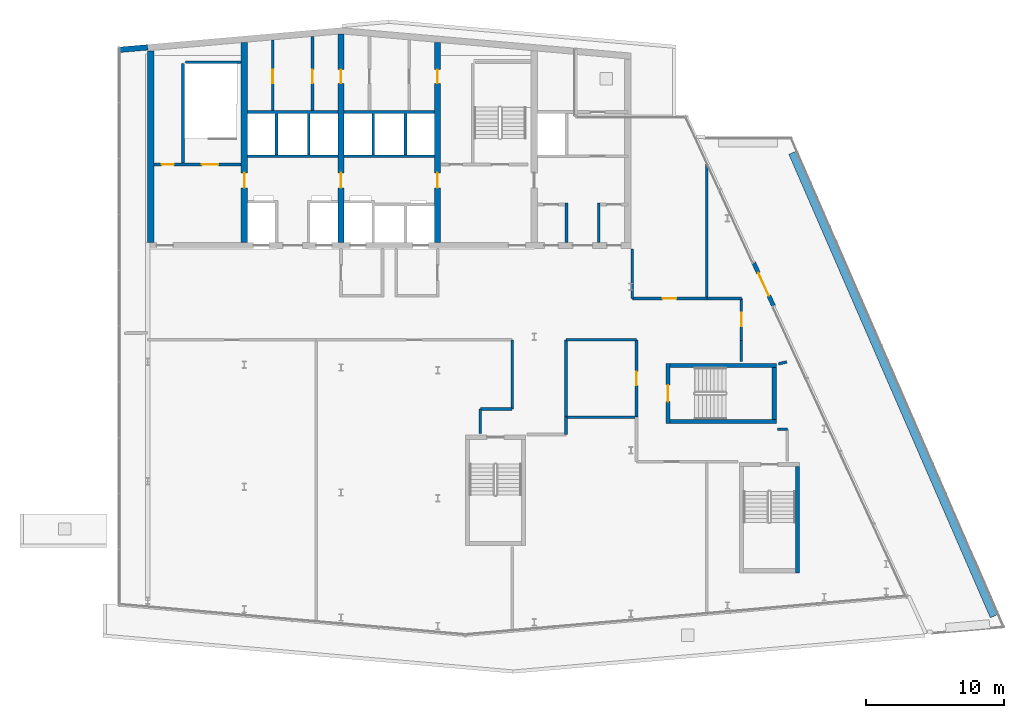
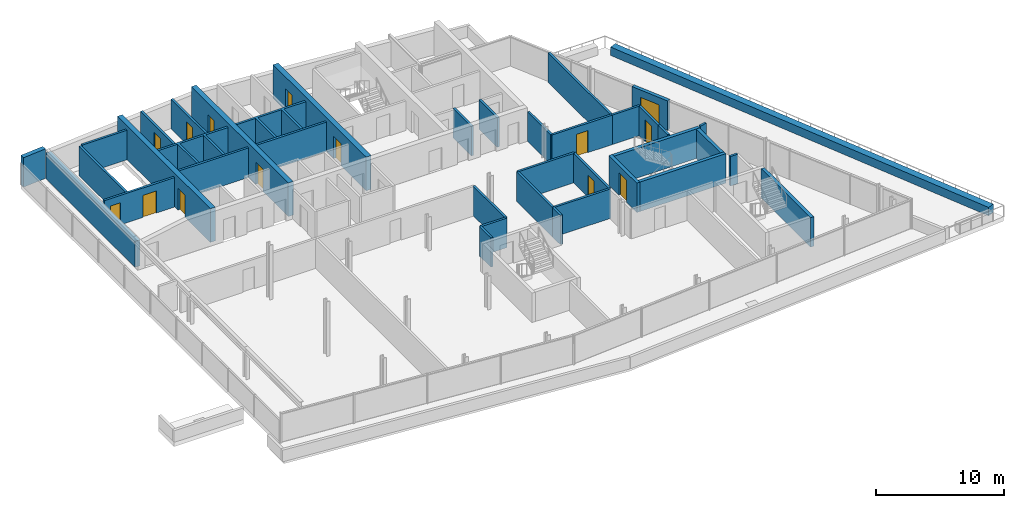
# One storey, part 12 of 17: 39 walls, 14 doors, 14 openings.
"""IFC4 building model written with IfcOpenShell, lengths in metres."""

import ifcopenshell
import ifcopenshell.guid

model = None  # the IFC model being written
_history = None  # IfcOwnerHistory: only IFC2X3 demands one
_inside = {}  # id of a spatial element -> (the spatial element, [elements in it])
_under = {}  # id of a project, library or spatial element -> (it, [spatial elements below it])
_declared = {}  # id of a project -> (the project, [libraries it declares])
_typed = {}  # id of a type object -> (the type object, [elements of that type])
_made_of = {}  # id of a material, layer set ... -> (it, [elements and type objects made of it])


def new_model(schema):
    """Start an empty IFC model of exactly this schema.

    Asked for "IFC4X3", IfcOpenShell would pick the latest addendum, in which some entities
    have other attributes; the version numbers below select the first issue.
    IFC2X3 requires an IfcOwnerHistory on every rooted entity: one is made here for all.
    """
    global model, _history
    if schema == "IFC4X3":
        model = ifcopenshell.file(schema_version=(4, 3, 0, 0))
    else:
        model = ifcopenshell.file(schema=schema)
    _inside.clear()
    _under.clear()
    _declared.clear()
    _typed.clear()
    _made_of.clear()
    _history = None
    if model.schema == "IFC2X3":
        org = make("IfcOrganization", Name="unknown")
        user = make(
            "IfcPersonAndOrganization",
            ThePerson=make("IfcPerson", FamilyName="unknown"),
            TheOrganization=org,
        )
        app = make(
            "IfcApplication",
            ApplicationDeveloper=org,
            Version="unknown",
            ApplicationFullName="unknown",
            ApplicationIdentifier="unknown",
        )
        _history = make(
            "IfcOwnerHistory",
            OwningUser=user,
            OwningApplication=app,
            ChangeAction="ADDED",
            CreationDate=0,
        )
    return model


def make(cls, **values):
    """One entity of the class cls with the attributes given. An attribute that is None is left unset."""
    return model.create_entity(
        cls, **{name: value for name, value in values.items() if value is not None}
    )


def rooted(cls, **values):
    """An entity with a GlobalId (a new one), such as an element, a storey or a relation."""
    return make(cls, GlobalId=ifcopenshell.guid.new(), OwnerHistory=_history, **values)


def si_unit(unit_type, name, prefix=None):
    """IfcSIUnit, for example si_unit("LENGTHUNIT", "METRE", prefix="MILLI")."""
    return make("IfcSIUnit", UnitType=unit_type, Prefix=prefix, Name=name)


def assignment(units):
    """IfcUnitAssignment: the units of a project."""
    return None if units is None else make("IfcUnitAssignment", Units=units)


def point(xyz):
    """IfcCartesianPoint."""
    return None if xyz is None else make("IfcCartesianPoint", Coordinates=xyz)


def direction(xyz):
    """IfcDirection."""
    return None if xyz is None else make("IfcDirection", DirectionRatios=xyz)


def frame(location, z_axis=None, x_axis=None):
    """IfcAxis2Placement3D, a coordinate frame: its origin and axes. An axis left out is left unset."""
    return make(
        "IfcAxis2Placement3D",
        Location=point(location),
        Axis=direction(z_axis),
        RefDirection=direction(x_axis),
    )


def frame_2d(location, x_axis=None):
    """IfcAxis2Placement2D, a coordinate frame in the plane: its origin and x axis."""
    return make(
        "IfcAxis2Placement2D", Location=point(location), RefDirection=direction(x_axis)
    )


def origin():
    """The frame at (0, 0, 0) with its axes left unset."""
    return frame((0.0, 0.0, 0.0))


def place(relative_to, where):
    """IfcLocalPlacement: puts the frame where relative to a parent placement (None: the world)."""
    return make(
        "IfcLocalPlacement", PlacementRelTo=relative_to, RelativePlacement=where
    )


def context(
    kind, dimensions, precision=None, world=None, true_north=None, identifier=None
):
    """IfcGeometricRepresentationContext, for example the 3D "Model" context."""
    return make(
        "IfcGeometricRepresentationContext",
        ContextIdentifier=identifier,
        ContextType=kind,
        CoordinateSpaceDimension=dimensions,
        Precision=precision,
        WorldCoordinateSystem=world,
        TrueNorth=true_north,
    )


def subcontext(parent, identifier, kind, view, scale=None):
    """IfcGeometricRepresentationSubContext, for example "Body" below "Model"."""
    return make(
        "IfcGeometricRepresentationSubContext",
        ContextIdentifier=identifier,
        ContextType=kind,
        ParentContext=parent,
        TargetScale=scale,
        TargetView=view,
    )


def project(units=None, contexts=None):
    """IfcProject with its units and contexts."""
    return rooted(
        "IfcProject",
        Name="project",
        RepresentationContexts=contexts,
        UnitsInContext=assignment(units),
    )


def spatial(cls, under=None, at=None, **own):
    """A site, building, storey or space (cls), placed at a placement, below another one or the project."""
    s = rooted(cls, ObjectPlacement=at, **own)
    if under is not None:
        _under.setdefault(under.id(), (under, []))[1].append(s)
    return s


def polyline(points):
    """IfcPolyline through the points."""
    return make("IfcPolyline", Points=[point(p) for p in points])


def profile(cls, at=None, kind="AREA", **sizes):
    """A parametric profile (cls). Its sizes go by their IFC names, for example OverallWidth=200.0."""
    return make(cls, ProfileType=kind, Position=at, **sizes)


def rectangle(**sizes):
    """IfcRectangleProfileDef."""
    return profile("IfcRectangleProfileDef", **sizes)


def outline(outer, holes=None, kind="AREA"):
    """IfcArbitraryClosedProfileDef: a profile drawn as a closed curve; with holes, ...WithVoids."""
    if holes is None:
        return make("IfcArbitraryClosedProfileDef", ProfileType=kind, OuterCurve=outer)
    return make(
        "IfcArbitraryProfileDefWithVoids",
        ProfileType=kind,
        OuterCurve=outer,
        InnerCurves=holes,
    )


def extrude(swept, where, along, depth):
    """IfcExtrudedAreaSolid: the profile swept, set in the frame where, extruded along a direction by depth."""
    return make(
        "IfcExtrudedAreaSolid",
        SweptArea=swept,
        Position=where,
        ExtrudedDirection=direction(along),
        Depth=depth,
    )


def shape(context_of_items, identifier, shape_type, items):
    """IfcShapeRepresentation: the items that make up one representation, for example the "Body"."""
    return make(
        "IfcShapeRepresentation",
        ContextOfItems=context_of_items,
        RepresentationIdentifier=identifier,
        RepresentationType=shape_type,
        Items=items,
    )


def material(Name=None, Category=None):
    """IfcMaterial."""
    return make("IfcMaterial", Name=Name, Category=Category)


def layer(
    of_material, thickness, ventilated=None, Name=None, Category=None, Priority=None
):
    """IfcMaterialLayer: one layer of a wall or slab, of a material (None: an air gap)."""
    return make(
        "IfcMaterialLayer",
        Material=of_material,
        LayerThickness=thickness,
        IsVentilated=ventilated,
        Name=Name,
        Category=Category,
        Priority=Priority,
    )


def layer_set(layers, Name=None):
    """IfcMaterialLayerSet."""
    return make("IfcMaterialLayerSet", MaterialLayers=layers, LayerSetName=Name)


def made_of(thing, what):
    """Note that an element or type object is made of a material, layer set ...; save() writes the relation."""
    if what is not None:
        _made_of.setdefault(what.id(), (what, []))[1].append(thing)
    return thing


def type_object(cls, material=None, **own):
    """A type object (cls), such as IfcWallType, which elements share."""
    return made_of(rooted(cls, **own), material)


def element(
    cls,
    number,
    at=None,
    inside=None,
    cuts=None,
    type_object=None,
    material=None,
    context=None,
    identifier="Body",
    shape_type=None,
    held_by="IfcProductDefinitionShape",
    body=None,
    shapes=None,
    **own,
):
    """One element of the class cls, such as IfcWall. Its Tag is "e" and its number.

    at: its placement. inside: the storey or other place that contains it. cuts: it is an
    opening in that element (IfcRelVoidsElement). A single representation is given by context,
    identifier, shape_type and body (its items); several are given by shapes. held_by: the class
    of the entity that holds the representations. save() writes the other relations.
    """
    e = rooted(cls, Tag="e%d" % number, ObjectPlacement=at, **own)
    if body is not None:
        shapes = [shape(context, identifier, shape_type, body)]
    if shapes is not None:
        e.Representation = make(held_by, Representations=shapes)
    if inside is not None:
        _inside.setdefault(inside.id(), (inside, []))[1].append(e)
    if cuts is not None:
        rooted(
            "IfcRelVoidsElement", RelatingBuildingElement=cuts, RelatedOpeningElement=e
        )
    if type_object is not None:
        _typed.setdefault(type_object.id(), (type_object, []))[1].append(e)
    return made_of(e, material)


def fill(opening, filler):
    """IfcRelFillsElement: the door or window that sits in an opening."""
    return rooted(
        "IfcRelFillsElement",
        RelatingOpeningElement=opening,
        RelatedBuildingElement=filler,
    )


def aggregate(whole, parts):
    """IfcRelAggregates: a whole, such as a stair, and the parts it consists of."""
    return rooted("IfcRelAggregates", RelatingObject=whole, RelatedObjects=parts)


def save(model, path):
    """Write the relations noted so far, then the file.

    IfcRelAggregates (storeys below a building ...), IfcRelContainedInSpatialStructure (elements
    in a storey), IfcRelDefinesByType, IfcRelAssociatesMaterial and IfcRelDeclares: one each for
    every whole, place, type object, material and project.
    """
    for whole, parts in _under.values():
        aggregate(whole, parts)
    for where, things in _inside.values():
        rooted(
            "IfcRelContainedInSpatialStructure",
            RelatedElements=things,
            RelatingStructure=where,
        )
    for kind, things in _typed.values():
        rooted("IfcRelDefinesByType", RelatedObjects=things, RelatingType=kind)
    for what, things in _made_of.values():
        rooted("IfcRelAssociatesMaterial", RelatedObjects=things, RelatingMaterial=what)
    for by, libraries in _declared.values():
        rooted("IfcRelDeclares", RelatingContext=by, RelatedDefinitions=libraries)
    model.write(path)


model = new_model("IFC4")

# Units and contexts
model_context = context("Model", 3, precision=1e-05, world=origin(), true_north=direction((0.0, 1.0)))
body_context = subcontext(model_context, "Body", "Model", "MODEL_VIEW")
ifc_project = project(units=[si_unit("LENGTHUNIT", "METRE"), si_unit("AREAUNIT", "SQUARE_METRE"), si_unit("VOLUMEUNIT", "CUBIC_METRE"), si_unit("PLANEANGLEUNIT", "RADIAN"), si_unit("MASSUNIT", "GRAM", prefix="KILO")], contexts=[model_context])

# Site, building, storey
site_placement = place(None, origin())
site = spatial("IfcSite", under=ifc_project, at=site_placement, CompositionType="ELEMENT")
building_placement = place(site_placement, origin())
building = spatial("IfcBuilding", under=site, at=building_placement, Name="Wharfspan Tower", CompositionType="ELEMENT")
storey_placement = place(building_placement, frame((0.0, 0.0, 261.100098)))
storey = spatial("IfcBuildingStorey", under=building, at=storey_placement, Name="L66", CompositionType="ELEMENT", Elevation=261.100098)

# Wall, opening, door
ifc_material_1 = material(Name="Calcium silicate masonry", Category="masonry")
ifc_layer_1 = layer(ifc_material_1, 0.199951)
ifc_layer_set_1 = layer_set([ifc_layer_1], Name="Calcium silicate masonry")
wall_type_1 = type_object("IfcWallType", Name="Core room wall 200", PredefinedType="PARTITIONING", material=ifc_layer_set_1)
wall_1_placement = place(storey_placement, frame((32.059082, 44.0, 0.0), z_axis=(0.0, 0.0, 1.0), x_axis=(0.0, 1.0, 0.0)))
wall_1 = element("IfcWall", 1, at=wall_1_placement, inside=storey, type_object=wall_type_1, Name="sw:L66:RP3.1", PredefinedType="PARTITIONING", context=body_context, shape_type="SweptSolid", body=[
    extrude(rectangle(XDim=5.108154, YDim=0.199951, at=frame_2d((2.554199, 0.0))), origin(), (0.0, 0.0, 1.0), 2.799805),
])
opening_1_placement = place(wall_1_placement, frame((1.973877, 0.0, 0.0)))
opening_1 = element("IfcOpeningElement", 2, at=opening_1_placement, cuts=wall_1, Name="Opening CD66.3P1", PredefinedType="OPENING", context=body_context, shape_type="SweptSolid", body=[
    extrude(rectangle(XDim=1.0, YDim=2.100098, at=frame_2d((0.5, 1.050049))), frame((0.0, 0.109863, 0.0), z_axis=(0.0, -1.0, 0.0), x_axis=(1.0, 0.0, 0.0)), (0.0, 0.0, 1.0), 0.219971),
])
ifc_material_2 = material(Name="Steel door leaf", Category="steel")
door_type_1 = type_object("IfcDoorType", Name="Core room door 1000x2100", OperationType="SINGLE_SWING_LEFT", PredefinedType="DOOR", material=ifc_material_2)
door_1_placement = place(opening_1_placement, origin())
door_1 = element("IfcDoor", 3, at=door_1_placement, inside=storey, type_object=door_type_1, Name="d:L66:3:rp1", OperationType="SINGLE_SWING_LEFT", OverallHeight=2.100098, OverallWidth=1.0, PredefinedType="DOOR", context=body_context, shape_type="SweptSolid", body=[
    extrude(rectangle(XDim=1.0, YDim=2.100098, at=frame_2d((0.5, 1.050049))), frame((0.0, 0.024902, 0.0), z_axis=(0.0, -1.0, 0.0), x_axis=(1.0, 0.0, 0.0)), (0.0, 0.0, 1.0), 0.050049),
])
fill(opening_1, door_1)

wall_2_placement = place(storey_placement, frame((34.940918, 44.0, 0.0), z_axis=(0.0, 0.0, 1.0), x_axis=(0.0, 1.0, 0.0)))
wall_2 = element("IfcWall", 4, at=wall_2_placement, inside=storey, type_object=wall_type_1, Name="sw:L66:RP3.2", PredefinedType="PARTITIONING", context=body_context, shape_type="SweptSolid", body=[
    extrude(rectangle(XDim=5.360352, YDim=0.199951, at=frame_2d((2.680176, 0.0))), origin(), (0.0, 0.0, 1.0), 2.799805),
])
opening_2_placement = place(wall_2_placement, frame((1.973877, 0.0, 0.0)))
opening_2 = element("IfcOpeningElement", 5, at=opening_2_placement, cuts=wall_2, Name="Opening CD66.3P2", PredefinedType="OPENING", context=body_context, shape_type="SweptSolid", body=[
    extrude(rectangle(XDim=1.0, YDim=2.100098, at=frame_2d((0.5, 1.050049))), frame((0.0, 0.109863, 0.0), z_axis=(0.0, -1.0, 0.0), x_axis=(1.0, 0.0, 0.0)), (0.0, 0.0, 1.0), 0.219971),
])
door_2_placement = place(opening_2_placement, origin())
door_2 = element("IfcDoor", 6, at=door_2_placement, inside=storey, type_object=door_type_1, Name="d:L66:3:rp2", OperationType="SINGLE_SWING_LEFT", OverallHeight=2.100098, OverallWidth=1.0, PredefinedType="DOOR", context=body_context, shape_type="SweptSolid", body=[
    extrude(rectangle(XDim=1.0, YDim=2.100098, at=frame_2d((0.5, 1.050049))), frame((0.0, 0.024902, 0.0), z_axis=(0.0, -1.0, 0.0), x_axis=(1.0, 0.0, 0.0)), (0.0, 0.0, 1.0), 0.050049),
])
fill(opening_2, door_2)

# Walls
wall_3_placement = place(storey_placement, frame((49.399902, 22.400391, 0.0), z_axis=(0.0, 0.0, 1.0), x_axis=(-1.0, 0.0, 0.0)))
element("IfcWall", 7, at=wall_3_placement, inside=storey, type_object=wall_type_1, Name="cr:L66:w3", PredefinedType="PARTITIONING", context=body_context, shape_type="SweptSolid", body=[
    extrude(rectangle(XDim=2.308838, YDim=0.199951, at=frame_2d((1.154297, 0.0))), origin(), (0.0, 0.0, 1.0), 2.799805),
])
wall_4_placement = place(storey_placement, frame((47.091064, 22.400391, 0.0), z_axis=(0.0, 0.0, 1.0), x_axis=(0.0, -1.0, 0.0)))
element("IfcWall", 8, at=wall_4_placement, inside=storey, type_object=wall_type_1, Name="cr:L66:w4", PredefinedType="PARTITIONING", context=body_context, shape_type="SweptSolid", body=[
    extrude(rectangle(XDim=1.800049, YDim=0.199951, at=frame_2d((0.899902, 0.0))), origin(), (0.0, 0.0, 1.0), 2.799805),
])
wall_5_placement = place(storey_placement, frame((53.300049, 20.550293, 0.0), z_axis=(0.0, 0.0, 1.0), x_axis=(0.0, 1.0, 0.0)))
element("IfcWall", 9, at=wall_5_placement, inside=storey, type_object=wall_type_1, Name="cr:L66:w8", PredefinedType="PARTITIONING", context=body_context, shape_type="SweptSolid", body=[
    extrude(rectangle(XDim=1.249756, YDim=0.199951, at=frame_2d((0.625, 0.0))), origin(), (0.0, 0.0, 1.0), 2.799805),
])
wall_6_placement = place(storey_placement, frame((53.300049, 21.800049, 0.0), z_axis=(0.0, 0.0, 1.0), x_axis=(1.0, 0.0, 0.0)))
element("IfcWall", 10, at=wall_6_placement, inside=storey, type_object=wall_type_1, Name="cr:L66:w12", PredefinedType="PARTITIONING", context=body_context, shape_type="SweptSolid", body=[
    extrude(rectangle(XDim=5.099854, YDim=0.199951, at=frame_2d((2.549805, 0.0))), origin(), (0.0, 0.0, 1.0), 2.799805),
])
wall_7_placement = place(storey_placement, frame((69.331543, 20.921631, 0.0), z_axis=(0.0, 0.0, 1.0), x_axis=(-1.0, 0.0, 0.0)))
element("IfcWall", 11, at=wall_7_placement, inside=storey, type_object=wall_type_1, Name="cr:L66:w14", PredefinedType="PARTITIONING", context=body_context, shape_type="SweptSolid", body=[
    extrude(rectangle(XDim=0.699951, YDim=0.199951, at=frame_2d((0.350098, 0.0))), origin(), (0.0, 0.0, 1.0), 2.799805),
])

# Wall, opening, door
wall_8_placement = place(storey_placement, frame((66.0, 27.340088, 0.0), z_axis=(0.0, 0.0, 1.0), x_axis=(0.0, 1.0, 0.0)))
wall_8 = element("IfcWall", 12, at=wall_8_placement, inside=storey, type_object=wall_type_1, Name="cr:L66:w15", PredefinedType="PARTITIONING", context=body_context, shape_type="SweptSolid", body=[
    extrude(rectangle(XDim=3.059814, YDim=0.199951, at=frame_2d((1.529785, 0.0))), origin(), (0.0, 0.0, 1.0), 2.799805),
])
opening_3_placement = place(wall_8_placement, frame((1.030029, 0.0, 0.0)))
opening_3 = element("IfcOpeningElement", 13, at=opening_3_placement, cuts=wall_8, Name="Opening CD66.d4", PredefinedType="OPENING", context=body_context, shape_type="SweptSolid", body=[
    extrude(rectangle(XDim=1.0, YDim=2.100098, at=frame_2d((0.5, 1.050049))), frame((0.0, 0.109863, 0.0), z_axis=(0.0, -1.0, 0.0), x_axis=(1.0, 0.0, 0.0)), (0.0, 0.0, 1.0), 0.219971),
])
door_3_placement = place(opening_3_placement, origin())
door_3 = element("IfcDoor", 14, at=door_3_placement, inside=storey, type_object=door_type_1, Name="cd:L66:d4", OperationType="SINGLE_SWING_LEFT", OverallHeight=2.100098, OverallWidth=1.0, PredefinedType="DOOR", context=body_context, shape_type="SweptSolid", body=[
    extrude(rectangle(XDim=1.0, YDim=2.100098, at=frame_2d((0.5, 1.050049))), frame((0.0, 0.024902, 0.0), z_axis=(0.0, -1.0, 0.0), x_axis=(1.0, 0.0, 0.0)), (0.0, 0.0, 1.0), 0.050049),
])
fill(opening_3, door_3)

# Walls
wall_9_placement = place(storey_placement, frame((66.0, 30.399902, 0.0), z_axis=(0.0, 0.0, 1.0), x_axis=(-1.0, 0.0, 0.0)))
element("IfcWall", 15, at=wall_9_placement, inside=storey, type_object=wall_type_1, Name="cr:L66:w16", PredefinedType="PARTITIONING", context=body_context, shape_type="SweptSolid", body=[
    extrude(rectangle(XDim=2.5, YDim=0.199951, at=frame_2d((1.25, 0.0))), origin(), (0.0, 0.0, 1.0), 2.799805),
])
wall_10_placement = place(storey_placement, frame((63.5, 30.399902, 0.0), z_axis=(0.0, 0.0, 1.0), x_axis=(0.0, 1.0, 0.0)))
element("IfcWall", 16, at=wall_10_placement, inside=storey, type_object=wall_type_1, Name="cr:L66:w18", PredefinedType="PARTITIONING", context=body_context, shape_type="SweptSolid", body=[
    extrude(rectangle(XDim=9.738281, YDim=0.199951, at=frame_2d((4.869141, 0.0))), origin(), (0.0, 0.0, 1.0), 2.799805),
])

# Wall, opening, door
wall_11_placement = place(storey_placement, frame((63.5, 30.399902, 0.0), z_axis=(0.0, 0.0, 1.0), x_axis=(-1.0, 0.0, 0.0)))
wall_11 = element("IfcWall", 17, at=wall_11_placement, inside=storey, type_object=wall_type_1, Name="cr:L66:w19", PredefinedType="PARTITIONING", context=body_context, shape_type="SweptSolid", body=[
    extrude(rectangle(XDim=5.399902, YDim=0.199951, at=frame_2d((2.699951, 0.0))), origin(), (0.0, 0.0, 1.0), 2.799805),
])
opening_4_placement = place(wall_11_placement, frame((2.199951, 0.0, 0.0)))
opening_4 = element("IfcOpeningElement", 18, at=opening_4_placement, cuts=wall_11, Name="Opening CD66.d5", PredefinedType="OPENING", context=body_context, shape_type="SweptSolid", body=[
    extrude(rectangle(XDim=1.0, YDim=2.100098, at=frame_2d((0.5, 1.050049))), frame((0.0, 0.109863, 0.0), z_axis=(0.0, -1.0, 0.0), x_axis=(1.0, 0.0, 0.0)), (0.0, 0.0, 1.0), 0.219971),
])
door_4_placement = place(opening_4_placement, origin())
door_4 = element("IfcDoor", 19, at=door_4_placement, inside=storey, type_object=door_type_1, Name="cd:L66:d5", OperationType="SINGLE_SWING_LEFT", OverallHeight=2.100098, OverallWidth=1.0, PredefinedType="DOOR", context=body_context, shape_type="SweptSolid", body=[
    extrude(rectangle(XDim=1.0, YDim=2.100098, at=frame_2d((0.5, 1.050049))), frame((0.0, 0.024902, 0.0), z_axis=(0.0, -1.0, 0.0), x_axis=(1.0, 0.0, 0.0)), (0.0, 0.0, 1.0), 0.050049),
])
fill(opening_4, door_4)

# Walls
wall_12_placement = place(storey_placement, frame((58.100098, 30.399902, 0.0), z_axis=(0.0, 0.0, 1.0), x_axis=(0.0, 1.0, 0.0)))
element("IfcWall", 20, at=wall_12_placement, inside=storey, type_object=wall_type_1, Name="cr:L66:w20", PredefinedType="PARTITIONING", context=body_context, shape_type="SweptSolid", body=[
    extrude(rectangle(XDim=3.59375, YDim=0.199951, at=frame_2d((1.796875, 0.0))), origin(), (0.0, 0.0, 1.0), 2.799805),
])
wall_13_placement = place(storey_placement, frame((53.300049, 27.399902, 0.0), z_axis=(0.0, 0.0, 1.0), x_axis=(1.0, 0.0, 0.0)))
element("IfcWall", 21, at=wall_13_placement, inside=storey, type_object=wall_type_1, Name="cr:L66:w21", PredefinedType="PARTITIONING", context=body_context, shape_type="SweptSolid", body=[
    extrude(rectangle(XDim=5.099854, YDim=0.199951, at=frame_2d((2.549805, 0.0))), origin(), (0.0, 0.0, 1.0), 2.799805),
])

# Wall, opening, door
wall_14_placement = place(storey_placement, frame((58.399902, 27.399902, 0.0), z_axis=(0.0, 0.0, 1.0), x_axis=(0.0, -1.0, 0.0)))
wall_14 = element("IfcWall", 22, at=wall_14_placement, inside=storey, type_object=wall_type_1, Name="cr:L66:w22", PredefinedType="PARTITIONING", context=body_context, shape_type="SweptSolid", body=[
    extrude(rectangle(XDim=5.599854, YDim=0.199951, at=frame_2d((2.799805, 0.0))), origin(), (0.0, 0.0, 1.0), 2.799805),
])
opening_5_placement = place(wall_14_placement, frame((2.300049, 0.0, 0.0)))
opening_5 = element("IfcOpeningElement", 23, at=opening_5_placement, cuts=wall_14, Name="Opening CD66.d6", PredefinedType="OPENING", context=body_context, shape_type="SweptSolid", body=[
    extrude(rectangle(XDim=1.0, YDim=2.100098, at=frame_2d((0.5, 1.050049))), frame((0.0, 0.109863, 0.0), z_axis=(0.0, -1.0, 0.0), x_axis=(1.0, 0.0, 0.0)), (0.0, 0.0, 1.0), 0.219971),
])
door_5_placement = place(opening_5_placement, origin())
door_5 = element("IfcDoor", 24, at=door_5_placement, inside=storey, type_object=door_type_1, Name="cd:L66:d6", OperationType="SINGLE_SWING_LEFT", OverallHeight=2.100098, OverallWidth=1.0, PredefinedType="DOOR", context=body_context, shape_type="SweptSolid", body=[
    extrude(rectangle(XDim=1.0, YDim=2.100098, at=frame_2d((0.5, 1.050049))), frame((0.0, 0.024902, 0.0), z_axis=(0.0, -1.0, 0.0), x_axis=(1.0, 0.0, 0.0)), (0.0, 0.0, 1.0), 0.050049),
])
fill(opening_5, door_5)

# Walls
wall_15_placement = place(storey_placement, frame((53.300049, 21.800049, 0.0), z_axis=(0.0, 0.0, 1.0), x_axis=(0.0, 1.0, 0.0)))
element("IfcWall", 25, at=wall_15_placement, inside=storey, type_object=wall_type_1, Name="cr:L66:w23", PredefinedType="PARTITIONING", context=body_context, shape_type="SweptSolid", body=[
    extrude(rectangle(XDim=5.599854, YDim=0.199951, at=frame_2d((2.799805, 0.0))), origin(), (0.0, 0.0, 1.0), 2.799805),
])
wall_16_placement = place(storey_placement, frame((49.399902, 27.399902, 0.0), z_axis=(0.0, 0.0, 1.0), x_axis=(0.0, -1.0, 0.0)))
element("IfcWall", 26, at=wall_16_placement, inside=storey, type_object=wall_type_1, Name="cr:L66:w25", PredefinedType="PARTITIONING", context=body_context, shape_type="SweptSolid", body=[
    extrude(rectangle(XDim=4.999512, YDim=0.199951, at=frame_2d((2.499756, 0.0))), origin(), (0.0, 0.0, 1.0), 2.799805),
])
wall_17_placement = place(storey_placement, frame((68.688721, 25.666504, 0.0), z_axis=(0.0, 0.0, 1.0), x_axis=(0.976941, 0.213493, 0.0)))
element("IfcWall", 27, at=wall_17_placement, inside=storey, type_object=wall_type_1, Name="cr:L66:w26", PredefinedType="PARTITIONING", context=body_context, shape_type="SweptSolid", body=[
    extrude(rectangle(XDim=0.609619, YDim=0.199951, at=frame_2d((0.304688, 0.0))), origin(), (0.0, 0.0, 1.0), 2.799805),
])
wall_18_placement = place(storey_placement, frame((66.0, 25.84668, 0.0), z_axis=(0.0, 0.0, 1.0), x_axis=(0.0, 1.0, 0.0)))
element("IfcWall", 28, at=wall_18_placement, inside=storey, type_object=wall_type_1, Name="cr:L66:w28", PredefinedType="PARTITIONING", context=body_context, shape_type="SweptSolid", body=[
    extrude(rectangle(XDim=1.493408, YDim=0.199951, at=frame_2d((0.746582, 0.0))), origin(), (0.0, 0.0, 1.0), 2.799805),
])
ifc_material_3 = material(Name="Concrete C50/60", Category="concrete")
ifc_layer_2 = layer(ifc_material_3, 0.449951)
ifc_layer_set_2 = layer_set([ifc_layer_2], Name="Concrete C50/60")
wall_type_2 = type_object("IfcWallType", Name="Core wall 450 C50/60", PredefinedType="SHEAR", material=ifc_layer_set_2)
wall_19_placement = place(storey_placement, frame((23.225098, 34.449951, 0.0), z_axis=(0.0, 0.0, 1.0), x_axis=(0.0, 1.0, 0.0)))
element("IfcWall", 29, at=wall_19_placement, inside=storey, type_object=wall_type_2, Name="Core cross wall EW0 L66", PredefinedType="SHEAR", context=body_context, shape_type="SweptSolid", body=[
    extrude(rectangle(XDim=13.885742, YDim=0.449951, at=frame_2d((6.942871, 0.0))), origin(), (0.0, 0.0, 1.0), 2.456299),
])

# Wall, opening, door
wall_20_placement = place(storey_placement, frame((30.0, 34.449951, 0.0), z_axis=(0.0, 0.0, 1.0), x_axis=(0.0, 1.0, 0.0)))
wall_20 = element("IfcWall", 30, at=wall_20_placement, inside=storey, type_object=wall_type_2, Name="Core cross wall X3 L66", PredefinedType="SHEAR", context=body_context, shape_type="SweptSolid", body=[
    extrude(rectangle(XDim=14.478516, YDim=0.449951, at=frame_2d((7.239258, 0.0))), origin(), (0.0, 0.0, 1.0), 3.199951),
])
opening_6_placement = place(wall_20_placement, frame((3.949951, 0.0, 0.0)))
opening_6 = element("IfcOpeningElement", 31, at=opening_6_placement, cuts=wall_20, Name="Opening CC66.3", PredefinedType="OPENING", context=body_context, shape_type="SweptSolid", body=[
    extrude(rectangle(XDim=1.100098, YDim=2.100098, at=frame_2d((0.550049, 1.050049))), frame((0.0, 0.234863, 0.0), z_axis=(0.0, -1.0, 0.0), x_axis=(1.0, 0.0, 0.0)), (0.0, 0.0, 1.0), 0.469971),
])
door_type_2 = type_object("IfcDoorType", Name="Core corridor door 1100x2100", OperationType="SINGLE_SWING_LEFT", PredefinedType="DOOR", material=ifc_material_2)
door_6_placement = place(opening_6_placement, origin())
door_6 = element("IfcDoor", 32, at=door_6_placement, inside=storey, type_object=door_type_2, Name="xd:L66:3", OperationType="SINGLE_SWING_LEFT", OverallHeight=2.100098, OverallWidth=1.100098, PredefinedType="DOOR", context=body_context, shape_type="SweptSolid", body=[
    extrude(rectangle(XDim=1.100098, YDim=2.100098, at=frame_2d((0.550049, 1.050049))), frame((0.0, 0.024902, 0.0), z_axis=(0.0, -1.0, 0.0), x_axis=(1.0, 0.0, 0.0)), (0.0, 0.0, 1.0), 0.050049),
])
fill(opening_6, door_6)

# Wall, openings, doors
wall_21_placement = place(storey_placement, frame((37.0, 34.449951, 0.0), z_axis=(0.0, 0.0, 1.0), x_axis=(0.0, 1.0, 0.0)))
wall_21 = element("IfcWall", 33, at=wall_21_placement, inside=storey, type_object=wall_type_2, Name="Core cross wall X4 L66", PredefinedType="SHEAR", context=body_context, shape_type="SweptSolid", body=[
    extrude(rectangle(XDim=15.09082, YDim=0.449951, at=frame_2d((7.54541, 0.0))), origin(), (0.0, 0.0, 1.0), 3.199951),
])
opening_7_placement = place(wall_21_placement, frame((11.523926, 0.0, 0.0)))
opening_7 = element("IfcOpeningElement", 34, at=opening_7_placement, cuts=wall_21, Name="Opening CD66.3X", PredefinedType="OPENING", context=body_context, shape_type="SweptSolid", body=[
    extrude(rectangle(XDim=1.0, YDim=2.100098, at=frame_2d((0.5, 1.050049))), frame((0.0, 0.234863, 0.0), z_axis=(0.0, -1.0, 0.0), x_axis=(1.0, 0.0, 0.0)), (0.0, 0.0, 1.0), 0.469971),
])
opening_8_placement = place(wall_21_placement, frame((3.949951, 0.0, 0.0)))
opening_8 = element("IfcOpeningElement", 35, at=opening_8_placement, cuts=wall_21, Name="Opening CC66.4", PredefinedType="OPENING", context=body_context, shape_type="SweptSolid", body=[
    extrude(rectangle(XDim=1.100098, YDim=2.100098, at=frame_2d((0.550049, 1.050049))), frame((0.0, 0.234863, 0.0), z_axis=(0.0, -1.0, 0.0), x_axis=(1.0, 0.0, 0.0)), (0.0, 0.0, 1.0), 0.469971),
])
door_7_placement = place(opening_8_placement, origin())
door_7 = element("IfcDoor", 36, at=door_7_placement, inside=storey, type_object=door_type_2, Name="xd:L66:4", OperationType="SINGLE_SWING_RIGHT", OverallHeight=2.100098, OverallWidth=1.100098, PredefinedType="DOOR", context=body_context, shape_type="SweptSolid", body=[
    extrude(rectangle(XDim=1.100098, YDim=2.100098, at=frame_2d((0.550049, 1.050049))), frame((0.0, 0.024902, 0.0), z_axis=(0.0, -1.0, 0.0), x_axis=(1.0, 0.0, 0.0)), (0.0, 0.0, 1.0), 0.050049),
])
fill(opening_8, door_7)
door_8_placement = place(opening_7_placement, origin())
door_8 = element("IfcDoor", 37, at=door_8_placement, inside=storey, type_object=door_type_1, Name="d:L66:3:sx", OperationType="SINGLE_SWING_LEFT", OverallHeight=2.100098, OverallWidth=1.0, PredefinedType="DOOR", context=body_context, shape_type="SweptSolid", body=[
    extrude(rectangle(XDim=1.0, YDim=2.100098, at=frame_2d((0.5, 1.050049))), frame((0.0, 0.024902, 0.0), z_axis=(0.0, -1.0, 0.0), x_axis=(1.0, 0.0, 0.0)), (0.0, 0.0, 1.0), 0.050049),
])
fill(opening_7, door_8)

wall_22_placement = place(storey_placement, frame((44.0, 34.449951, 0.0), z_axis=(0.0, 0.0, 1.0), x_axis=(0.0, 1.0, 0.0)))
wall_22 = element("IfcWall", 38, at=wall_22_placement, inside=storey, type_object=wall_type_2, Name="Core cross wall X5 L66", PredefinedType="SHEAR", context=body_context, shape_type="SweptSolid", body=[
    extrude(rectangle(XDim=14.478516, YDim=0.449951, at=frame_2d((7.239258, 0.0))), origin(), (0.0, 0.0, 1.0), 3.199951),
])
opening_9_placement = place(wall_22_placement, frame((11.523926, 0.0, 0.0)))
opening_9 = element("IfcOpeningElement", 39, at=opening_9_placement, cuts=wall_22, Name="Opening CD66.4X", PredefinedType="OPENING", context=body_context, shape_type="SweptSolid", body=[
    extrude(rectangle(XDim=1.0, YDim=2.100098, at=frame_2d((0.5, 1.050049))), frame((0.0, 0.234863, 0.0), z_axis=(0.0, -1.0, 0.0), x_axis=(1.0, 0.0, 0.0)), (0.0, 0.0, 1.0), 0.469971),
])
opening_10_placement = place(wall_22_placement, frame((3.949951, 0.0, 0.0)))
opening_10 = element("IfcOpeningElement", 40, at=opening_10_placement, cuts=wall_22, Name="Opening CC66.5", PredefinedType="OPENING", context=body_context, shape_type="SweptSolid", body=[
    extrude(rectangle(XDim=1.100098, YDim=2.100098, at=frame_2d((0.550049, 1.050049))), frame((0.0, 0.234863, 0.0), z_axis=(0.0, -1.0, 0.0), x_axis=(1.0, 0.0, 0.0)), (0.0, 0.0, 1.0), 0.469971),
])
door_9_placement = place(opening_10_placement, origin())
door_9 = element("IfcDoor", 41, at=door_9_placement, inside=storey, type_object=door_type_2, Name="xd:L66:5", OperationType="SINGLE_SWING_LEFT", OverallHeight=2.100098, OverallWidth=1.100098, PredefinedType="DOOR", context=body_context, shape_type="SweptSolid", body=[
    extrude(rectangle(XDim=1.100098, YDim=2.100098, at=frame_2d((0.550049, 1.050049))), frame((0.0, 0.024902, 0.0), z_axis=(0.0, -1.0, 0.0), x_axis=(1.0, 0.0, 0.0)), (0.0, 0.0, 1.0), 0.050049),
])
fill(opening_10, door_9)
door_10_placement = place(opening_9_placement, origin())
door_10 = element("IfcDoor", 42, at=door_10_placement, inside=storey, type_object=door_type_1, Name="d:L66:4:sx", OperationType="SINGLE_SWING_LEFT", OverallHeight=2.100098, OverallWidth=1.0, PredefinedType="DOOR", context=body_context, shape_type="SweptSolid", body=[
    extrude(rectangle(XDim=1.0, YDim=2.100098, at=frame_2d((0.5, 1.050049))), frame((0.0, 0.024902, 0.0), z_axis=(0.0, -1.0, 0.0), x_axis=(1.0, 0.0, 0.0)), (0.0, 0.0, 1.0), 0.050049),
])
fill(opening_9, door_10)

# Wall, opening, door
ifc_material_4 = material(Name="Concrete C40/50", Category="concrete")
ifc_layer_3 = layer(ifc_material_4, 0.300049)
ifc_layer_set_3 = layer_set([ifc_layer_3], Name="Concrete C40/50")
wall_type_3 = type_object("IfcWallType", Name="External door wall 300", PredefinedType="SOLIDWALL", material=ifc_layer_set_3)
wall_23_placement = place(storey_placement, frame((66.903809, 32.964844, 0.0), z_axis=(0.0, 0.0, 1.0), x_axis=(0.417326, -0.908754, 0.0)))
wall_23 = element("IfcWall", 43, at=wall_23_placement, inside=storey, type_object=wall_type_3, Name="Terrace door wall T4E", PredefinedType="SOLIDWALL", context=body_context, shape_type="SweptSolid", body=[
    extrude(rectangle(XDim=3.400146, YDim=0.300049, at=frame_2d((1.700195, 0.0))), origin(), (0.0, 0.0, 1.0), 2.799805),
])
opening_11_placement = place(wall_23_placement, frame((0.800049, 0.0, 0.0)))
opening_11 = element("IfcOpeningElement", 44, at=opening_11_placement, cuts=wall_23, Name="Opening TD-L66", PredefinedType="OPENING", context=body_context, shape_type="SweptSolid", body=[
    extrude(rectangle(XDim=1.800049, YDim=2.100098, at=frame_2d((0.899902, 1.050049))), frame((0.0, 0.159912, 0.0), z_axis=(0.0, -1.0, 0.0), x_axis=(1.0, 0.0, 0.0)), (0.0, 0.0, 1.0), 0.320068),
])
ifc_material_5 = material(Name="Fire-rated glazed door leaf in steel frame", Category="steel")
door_type_3 = type_object("IfcDoorType", Name="Terrace door 1800 FD30S", OperationType="DOUBLE_DOOR_SINGLE_SWING", PredefinedType="DOOR", material=ifc_material_5)
door_11_placement = place(opening_11_placement, origin())
door_11 = element("IfcDoor", 45, at=door_11_placement, inside=storey, type_object=door_type_3, Name="Terrace door L66", OperationType="DOUBLE_DOOR_SINGLE_SWING", OverallHeight=2.100098, OverallWidth=1.800049, PredefinedType="DOOR", context=body_context, shape_type="SweptSolid", body=[
    extrude(rectangle(XDim=1.800049, YDim=2.100098, at=frame_2d((0.899902, 1.050049))), frame((0.0, 0.024902, 0.0), z_axis=(0.0, -1.0, 0.0), x_axis=(1.0, 0.0, 0.0)), (0.0, 0.0, 1.0), 0.050049),
])
fill(opening_11, door_11)

# Walls
ifc_material_6 = material(Name="Concrete C30/37", Category="concrete")
ifc_layer_4 = layer(ifc_material_6, 0.199951)
ifc_layer_set_4 = layer_set([ifc_layer_4], Name="Concrete C30/37")
wall_type_4 = type_object("IfcWallType", Name="Lift shaft wall 200", PredefinedType="PARTITIONING", material=ifc_layer_set_4)
wall_24_placement = place(storey_placement, frame((30.225098, 40.699951, 0.0), z_axis=(0.0, 0.0, 1.0), x_axis=(1.0, 0.0, 0.0)))
element("IfcWall", 46, at=wall_24_placement, inside=storey, type_object=wall_type_4, Name="sw:L66:RF3", PredefinedType="PARTITIONING", context=body_context, shape_type="SweptSolid", body=[
    extrude(rectangle(XDim=6.549805, YDim=0.199951, at=frame_2d((3.274902, 0.0))), origin(), (0.0, 0.0, 1.0), 2.799805),
])
wall_25_placement = place(storey_placement, frame((0.0, 0.0, -0.000244)))
element("IfcWall", 47, at=wall_25_placement, inside=storey, type_object=wall_type_4, Name="sw:L66:RM3.0", PredefinedType="PARTITIONING", context=body_context, shape_type="SweptSolid", body=[
    extrude(outline(polyline([(32.43335, 40.800049), (32.233398, 40.800049), (32.233398, 43.800049), (30.225098, 43.800049), (30.225098, 44.0), (36.774902, 44.0), (36.774902, 43.800049), (34.766602, 43.800049), (34.766602, 40.800049), (34.56665, 40.800049), (34.56665, 43.800049), (32.43335, 43.800049), (32.43335, 40.800049)])), origin(), (0.0, 0.0, 1.0), 2.800049),
])
wall_26_placement = place(storey_placement, frame((37.225098, 40.699951, 0.0), z_axis=(0.0, 0.0, 1.0), x_axis=(1.0, 0.0, 0.0)))
element("IfcWall", 48, at=wall_26_placement, inside=storey, type_object=wall_type_4, Name="sw:L66:RF4", PredefinedType="PARTITIONING", context=body_context, shape_type="SweptSolid", body=[
    extrude(rectangle(XDim=6.549805, YDim=0.199951, at=frame_2d((3.274902, 0.0))), origin(), (0.0, 0.0, 1.0), 2.799805),
])
wall_27_placement = place(storey_placement, frame((0.0, 0.0, -0.000244)))
element("IfcWall", 49, at=wall_27_placement, inside=storey, type_object=wall_type_4, Name="sw:L66:RM4.0", PredefinedType="PARTITIONING", context=body_context, shape_type="SweptSolid", body=[
    extrude(outline(polyline([(39.43335, 40.800049), (39.233398, 40.800049), (39.233398, 43.800049), (37.225098, 43.800049), (37.225098, 44.0), (43.774902, 44.0), (43.774902, 43.800049), (41.766602, 43.800049), (41.766602, 40.800049), (41.56665, 40.800049), (41.56665, 43.800049), (39.43335, 43.800049), (39.43335, 40.800049)])), origin(), (0.0, 0.0, 1.0), 2.800049),
])
wall_28_placement = place(storey_placement, frame((0.0, 0.0, -0.000244)))
element("IfcWall", 50, at=wall_28_placement, inside=storey, type_object=wall_type_4, Name="sw:L66:FM6.0", PredefinedType="PARTITIONING", context=body_context, shape_type="SweptSolid", body=[
    extrude(outline(polyline([(53.233398, 34.449951), (53.233398, 37.300049), (53.43335, 37.300049), (53.43335, 34.449951), (53.233398, 34.449951)])), origin(), (0.0, 0.0, 1.0), 2.800049),
])
wall_29_placement = place(storey_placement, frame((0.0, 0.0, -0.000244)))
element("IfcWall", 51, at=wall_29_placement, inside=storey, type_object=wall_type_4, Name="sw:L66:FM6.1", PredefinedType="PARTITIONING", context=body_context, shape_type="SweptSolid", body=[
    extrude(outline(polyline([(55.56665, 34.449951), (55.56665, 37.300049), (55.766602, 37.300049), (55.766602, 34.449951), (55.56665, 34.449951)])), origin(), (0.0, 0.0, 1.0), 2.800049),
])
ifc_layer_5 = layer(ifc_material_4, 0.600098)
ifc_layer_set_5 = layer_set([ifc_layer_5], Name="Concrete C40/50")
wall_type_5 = type_object("IfcWallType", Name="PLANTER CONCRETE 600", PredefinedType="SOLIDWALL", material=ifc_layer_set_5)
wall_30_placement = place(storey_placement, frame((69.713867, 40.955322, 0.0), z_axis=(0.0, 0.0, 1.0), x_axis=(0.398728, -0.917067, 0.0)))
element("IfcWall", 52, at=wall_30_placement, inside=storey, type_object=wall_type_5, Name="Planter", PredefinedType="SOLIDWALL", context=body_context, shape_type="SweptSolid", body=[
    extrude(rectangle(XDim=36.601318, YDim=0.600098, at=frame_2d((18.300781, 0.0))), origin(), (0.0, 0.0, 1.0), 0.799805),
])

# Wall, opening, door
ifc_layer_6 = layer(ifc_material_4, 0.300049)
ifc_layer_set_6 = layer_set([ifc_layer_6], Name="Concrete C40/50")
wall_type_6 = type_object("IfcWallType", Name="Stair core wall 300", PredefinedType="SHEAR", material=ifc_layer_set_6)
wall_31_placement = place(storey_placement, frame((60.681641, 21.34668, 0.0), z_axis=(0.0, 0.0, 1.0), x_axis=(0.0, 1.0, 0.0)))
wall_31 = element("IfcWall", 53, at=wall_31_placement, inside=storey, type_object=wall_type_6, Name="ST8 stair enclosure wall L66", PredefinedType="SHEAR", context=body_context, shape_type="SweptSolid", body=[
    extrude(rectangle(XDim=4.350098, YDim=0.300049, at=frame_2d((2.175049, 0.0))), origin(), (0.0, 0.0, 1.0), 2.799805),
])
opening_12_placement = place(wall_31_placement, frame((1.574951, 0.0, 0.0)))
opening_12 = element("IfcOpeningElement", 54, at=opening_12_placement, cuts=wall_31, Name="Opening SD8.L66", PredefinedType="OPENING", context=body_context, shape_type="SweptSolid", body=[
    extrude(rectangle(XDim=1.199951, YDim=2.100098, at=frame_2d((0.600098, 1.050049))), frame((0.0, 0.159912, 0.0), z_axis=(0.0, -1.0, 0.0), x_axis=(1.0, 0.0, 0.0)), (0.0, 0.0, 1.0), 0.320068),
])
door_type_4 = type_object("IfcDoorType", Name="Stair door 1200x2100", OperationType="SINGLE_SWING_LEFT", PredefinedType="DOOR", material=ifc_material_2)
door_12_placement = place(opening_12_placement, origin())
door_12 = element("IfcDoor", 55, at=door_12_placement, inside=storey, type_object=door_type_4, Name="sd:L66:ST8z5", OperationType="SINGLE_SWING_RIGHT", OverallHeight=2.100098, OverallWidth=1.199951, PredefinedType="DOOR", context=body_context, shape_type="SweptSolid", body=[
    extrude(rectangle(XDim=1.199951, YDim=2.100098, at=frame_2d((0.600098, 1.050049))), frame((0.0, 0.024902, 0.0), z_axis=(0.0, -1.0, 0.0), x_axis=(1.0, 0.0, 0.0)), (0.0, 0.0, 1.0), 0.050049),
])
fill(opening_12, door_12)

# Walls
for number, where, z_axis, x_axis, name in (
    (56, (70.056641, 10.521729, 0.0), (0.0, 0.0, 1.0), (0.0, 1.0, 0.0), "ST7 stair enclosure wall L66"),
    (57, (60.831543, 21.496582, 0.0), (0.0, 0.0, 1.0), (1.0, 0.0, 0.0), "ST8 stair enclosure wall L66"),
    (58, (60.831543, 25.546631, 0.0), (0.0, 0.0, 1.0), (1.0, 0.0, 0.0), "ST8 stair enclosure wall L66"),
):
    element("IfcWall", number, at=place(storey_placement, frame(where, z_axis=z_axis, x_axis=x_axis)), inside=storey, type_object=wall_type_6, Name=name, PredefinedType="SHEAR", context=body_context, shape_type="SweptSolid", body=[
        extrude(rectangle(XDim=7.699951, YDim=0.300049, at=frame_2d((3.850098, 0.0))), origin(), (0.0, 0.0, 1.0), 2.799805),
    ])
wall_32_placement = place(storey_placement, frame((68.381592, 21.646729, 0.0), z_axis=(0.0, 0.0, 1.0), x_axis=(0.0, 1.0, 0.0)))
element("IfcWall", 59, at=wall_32_placement, inside=storey, type_object=wall_type_6, Name="ST8 stair enclosure wall L66", PredefinedType="SHEAR", context=body_context, shape_type="SweptSolid", body=[
    extrude(rectangle(XDim=3.75, YDim=0.300049, at=frame_2d((1.875, 0.0))), origin(), (0.0, 0.0, 1.0), 2.799805),
])

# Wall, openings, doors
ifc_layer_7 = layer(ifc_material_4, 0.199951)
ifc_layer_set_7 = layer_set([ifc_layer_7], Name="Concrete C40/50")
wall_type_7 = type_object("IfcWallType", Name="Stair shaft wall 200", PredefinedType="SHEAR", material=ifc_layer_set_7)
wall_33_placement = place(storey_placement, frame((23.449951, 40.100098, 0.0), z_axis=(0.0, 0.0, 1.0), x_axis=(1.0, 0.0, 0.0)))
wall_33 = element("IfcWall", 60, at=wall_33_placement, inside=storey, type_object=wall_type_7, Name="ST1 stair enclosure wall L66", PredefinedType="SHEAR", context=body_context, shape_type="SweptSolid", body=[
    extrude(rectangle(XDim=6.324951, YDim=0.199951, at=frame_2d((3.162598, 0.0))), origin(), (0.0, 0.0, 1.0), 2.799805),
])
opening_13_placement = place(wall_33_placement, frame((3.475098, 0.0, 0.0)))
opening_13 = element("IfcOpeningElement", 61, at=opening_13_placement, cuts=wall_33, Name="Opening SD2.L66", PredefinedType="OPENING", context=body_context, shape_type="SweptSolid", body=[
    extrude(rectangle(XDim=1.199951, YDim=2.100098, at=frame_2d((0.600098, 1.050049))), frame((0.0, 0.109863, 0.0), z_axis=(0.0, -1.0, 0.0), x_axis=(1.0, 0.0, 0.0)), (0.0, 0.0, 1.0), 0.219971),
])
opening_14_placement = place(wall_33_placement, frame((0.550049, 0.0, 0.0)))
opening_14 = element("IfcOpeningElement", 62, at=opening_14_placement, cuts=wall_33, Name="Opening CD66.2R", PredefinedType="OPENING", context=body_context, shape_type="SweptSolid", body=[
    extrude(rectangle(XDim=0.899902, YDim=2.100098, at=frame_2d((0.449951, 1.050049))), frame((0.0, 0.109863, 0.0), z_axis=(0.0, -1.0, 0.0), x_axis=(1.0, 0.0, 0.0)), (0.0, 0.0, 1.0), 0.219971),
])
door_13_placement = place(opening_14_placement, origin())
door_13 = element("IfcDoor", 63, at=door_13_placement, inside=storey, type_object=door_type_1, Name="rk:L66:2", OperationType="SINGLE_SWING_LEFT", OverallHeight=2.100098, OverallWidth=0.899902, PredefinedType="DOOR", context=body_context, shape_type="SweptSolid", body=[
    extrude(rectangle(XDim=0.899902, YDim=2.100098, at=frame_2d((0.449951, 1.050049))), frame((0.0, 0.024902, 0.0), z_axis=(0.0, -1.0, 0.0), x_axis=(1.0, 0.0, 0.0)), (0.0, 0.0, 1.0), 0.050049),
])
fill(opening_14, door_13)
door_14_placement = place(opening_13_placement, origin())
door_14 = element("IfcDoor", 64, at=door_14_placement, inside=storey, type_object=door_type_4, Name="sd:L66:2", OperationType="SINGLE_SWING_RIGHT", OverallHeight=2.100098, OverallWidth=1.199951, PredefinedType="DOOR", context=body_context, shape_type="SweptSolid", body=[
    extrude(rectangle(XDim=1.199951, YDim=2.100098, at=frame_2d((0.600098, 1.050049))), frame((0.0, 0.024902, 0.0), z_axis=(0.0, -1.0, 0.0), x_axis=(1.0, 0.0, 0.0)), (0.0, 0.0, 1.0), 0.050049),
])
fill(opening_13, door_14)

# Walls
wall_34_placement = place(storey_placement, frame((25.550049, 40.199951, 0.0), z_axis=(0.0, 0.0, 1.0), x_axis=(0.0, 1.0, 0.0)))
element("IfcWall", 65, at=wall_34_placement, inside=storey, type_object=wall_type_7, Name="ST1 stair enclosure wall L66", PredefinedType="SHEAR", context=body_context, shape_type="SweptSolid", body=[
    extrude(rectangle(XDim=7.199951, YDim=0.199951, at=frame_2d((3.600098, 0.0))), origin(), (0.0, 0.0, 1.0), 2.799805),
])
wall_35_placement = place(storey_placement, frame((25.75, 47.5, 0.0), z_axis=(0.0, 0.0, 1.0), x_axis=(1.0, 0.0, 0.0)))
element("IfcWall", 66, at=wall_35_placement, inside=storey, type_object=wall_type_7, Name="ST1 stair enclosure wall L66", PredefinedType="SHEAR", context=body_context, shape_type="SweptSolid", body=[
    extrude(rectangle(XDim=4.024902, YDim=0.199951, at=frame_2d((2.012451, 0.0))), origin(), (0.0, 0.0, 1.0), 2.799805),
])
ifc_layer_8 = layer(ifc_material_4, 0.399902)
ifc_layer_set_8 = layer_set([ifc_layer_8], Name="Concrete C40/50")
wall_type_8 = type_object("IfcWallType", Name="WALL EXPOSED CONCRETE 400", PredefinedType="SOLIDWALL", material=ifc_layer_set_8)
wall_36_placement = place(storey_placement, frame((23.0, 48.58667, 0.0), z_axis=(0.0, 0.0, 1.0), x_axis=(-0.996192, -0.087202, 0.0)))
element("IfcWall", 67, at=wall_36_placement, inside=storey, type_object=wall_type_8, Name="Rear wall N1", PredefinedType="SOLIDWALL", context=body_context, shape_type="SweptSolid", body=[
    extrude(rectangle(XDim=2.080078, YDim=0.399902, at=frame_2d((1.040039, 0.0))), origin(), (0.0, 0.0, 1.0), 2.799805),
])

save(model, "model.ifc")
